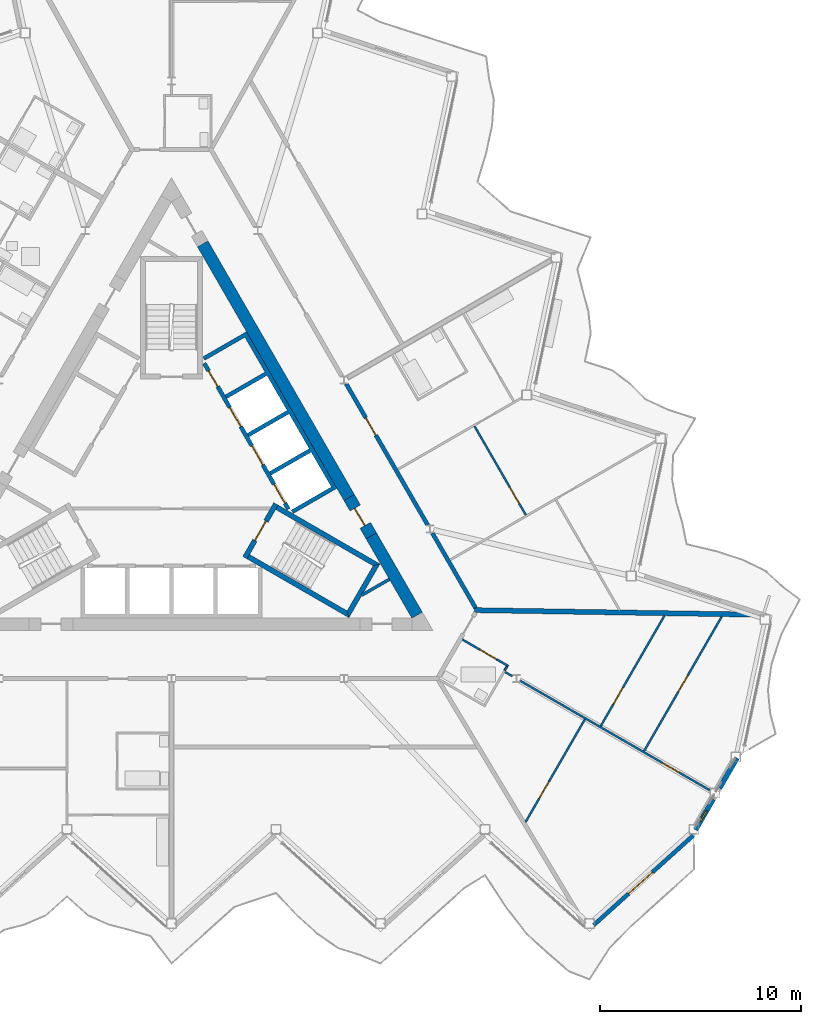
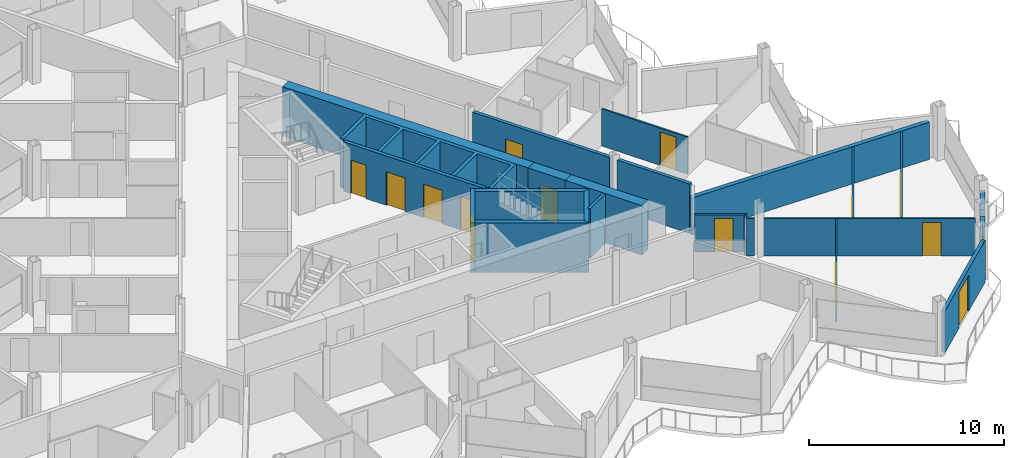
# One storey, part 15 of 26: 24 walls, 14 doors, 1 window, 15 openings.
"""IFC4 building model written with IfcOpenShell, lengths in metres."""

from ifc_helpers import new_model, si_unit, direction, frame, frame_2d, origin, place, context, subcontext, project, spatial, polyline, rectangle, outline, extrude, material, layer, layer_set, type_object, element, fill, save


model = new_model("IFC4")

# Units and contexts
model_context = context("Model", 3, precision=1e-05, world=origin(), true_north=direction((0.0, 1.0)))
body_context = subcontext(model_context, "Body", "Model", "MODEL_VIEW")
ifc_project = project(units=[si_unit("LENGTHUNIT", "METRE"), si_unit("AREAUNIT", "SQUARE_METRE"), si_unit("VOLUMEUNIT", "CUBIC_METRE"), si_unit("PLANEANGLEUNIT", "RADIAN"), si_unit("MASSUNIT", "GRAM", prefix="KILO")], contexts=[model_context])

# Site, building, storey
site_placement = place(None, origin())
site = spatial("IfcSite", under=ifc_project, at=site_placement, CompositionType="ELEMENT")
building_placement = place(site_placement, origin())
building = spatial("IfcBuilding", under=site, at=building_placement, Name="Cormorant Prow Tower", CompositionType="ELEMENT")
storey_placement = place(building_placement, frame((0.0, 0.0, 388.199951171875)))
storey = spatial("IfcBuildingStorey", under=building, at=storey_placement, Name="L88", CompositionType="ELEMENT", Elevation=388.199951171875)

# Walls
ifc_material_1 = material(Name="Gypsum board partition")
ifc_layer_1 = layer(ifc_material_1, 0.14990234375)
ifc_layer_set_1 = layer_set([ifc_layer_1], Name="Gypsum board partition")
wall_type_1 = type_object("IfcWallType", Name="Core partition 150", PredefinedType="PARTITIONING", material=ifc_layer_set_1)
wall_1_placement = place(storey_placement, frame((10.841796875, -4.96728515625, 0.0), z_axis=(0.0, 0.0, 1.0), x_axis=(-0.866098216386, -0.499873863663, 0.0)))
element("IfcWall", 1, at=wall_1_placement, inside=storey, type_object=wall_type_1, Name="Service room partition", PredefinedType="PARTITIONING", context=body_context, shape_type="SweptSolid", body=[
    extrude(rectangle(XDim=1.58203125, YDim=0.14990234375, at=frame_2d((0.791015625, 0.0))), origin(), (0.0, 0.0, 1.0), 3.10009765625),
])
ifc_material_2 = material(Name="Concrete 8000 psi", Category="concrete")
ifc_layer_2 = layer(ifc_material_2, 0.60009765625)
ifc_layer_set_2 = layer_set([ifc_layer_2], Name="Concrete 8000 psi")
wall_type_2 = type_object("IfcWallType", Name="Core shear wall 600", PredefinedType="SHEAR", material=ifc_layer_set_2)
wall_2_placement = place(storey_placement, frame((8.841064453125, -0.902099609375, 0.0), z_axis=(0.0, 0.0, 1.0), x_axis=(-0.499995618375, 0.866027933502, 0.0)))
element("IfcWall", 2, at=wall_2_placement, inside=storey, type_object=wall_type_2, Name="Core wall", PredefinedType="SHEAR", context=body_context, shape_type="SweptSolid", body=[
    extrude(rectangle(XDim=14.570556640625, YDim=0.60009765625, at=frame_2d((7.28515625, 0.0))), origin(), (0.0, 0.0, 1.0), 3.10009765625),
])
wall_3_placement = place(storey_placement, frame((12.220703125, -6.755615234375, 0.0), z_axis=(0.0, 0.0, 1.0), x_axis=(-0.500020646047, 0.866013483456, 0.0)))
element("IfcWall", 3, at=wall_3_placement, inside=storey, type_object=wall_type_2, Name="Core wall", PredefinedType="SHEAR", context=body_context, shape_type="SweptSolid", body=[
    extrude(rectangle(XDim=4.559326171875, YDim=0.60009765625, at=frame_2d((2.27978515625, 0.0))), origin(), (0.0, 0.0, 1.0), 3.10009765625),
])

# Wall, opening, door
wall_4_placement = place(storey_placement, frame((9.94091796875, -2.80712890625, 0.0), z_axis=(0.0, 0.0, 1.0), x_axis=(-0.499994660107, 0.866028486751, 0.0)))
wall_4 = element("IfcWall", 4, at=wall_4_placement, inside=storey, type_object=wall_type_2, Name="Core wall door panel", PredefinedType="SHEAR", context=body_context, shape_type="SweptSolid", body=[
    extrude(rectangle(XDim=2.19970703125, YDim=0.60009765625, at=frame_2d((1.099853515625, 0.0))), origin(), (0.0, 0.0, 1.0), 3.10009765625),
])
opening_1_placement = place(wall_4_placement, frame((0.60009765625, 0.0, 0.0)))
opening_1 = element("IfcOpeningElement", 5, at=opening_1_placement, cuts=wall_4, Name="Opening L88-C17", PredefinedType="OPENING", context=body_context, shape_type="SweptSolid", body=[
    extrude(rectangle(XDim=1.0, YDim=2.10009765625, at=frame_2d((0.5, 1.050048828125))), frame((0.0, 0.31005859375, 0.0), z_axis=(0.0, -1.0, 0.0), x_axis=(1.0, 0.0, 0.0)), (0.0, 0.0, 1.0), 0.6201171875),
])
ifc_material_3 = material(Name="Painted steel", Category="steel")
door_type_1 = type_object("IfcDoorType", Name="Service door 1000x2100", OperationType="NOTDEFINED", PredefinedType="DOOR", material=ifc_material_3)
door_1_placement = place(opening_1_placement, origin())
door_1 = element("IfcDoor", 6, at=door_1_placement, inside=storey, type_object=door_type_1, Name="Core door, Electrical room", OperationType="SINGLE_SWING_LEFT", OverallHeight=2.10009765625, OverallWidth=1.0, PredefinedType="DOOR", context=body_context, shape_type="SweptSolid", body=[
    extrude(rectangle(XDim=1.0, YDim=2.10009765625, at=frame_2d((0.5, 1.050048828125))), frame((0.0, 0.05517578125, 0.0), z_axis=(0.0, -1.0, 0.0), x_axis=(1.0, 0.0, 0.0)), (0.0, 0.0, 1.0), 0.050048828125),
])
fill(opening_1, door_1)

ifc_material_4 = material(Name="Gypsum board corridor wall")
ifc_layer_3 = layer(ifc_material_4, 0.199951171875)
ifc_layer_set_3 = layer_set([ifc_layer_3], Name="Gypsum board corridor wall")
wall_type_3 = type_object("IfcWallType", Name="Corridor wall 200", PredefinedType="PARTITIONING", material=ifc_layer_set_3)
wall_5_placement = place(storey_placement, frame((8.692138671875, 4.755859375, 0.0), z_axis=(0.0, 0.0, 1.0), x_axis=(0.500001682468, -0.866024432409, 0.0)))
wall_5 = element("IfcWall", 7, at=wall_5_placement, inside=storey, type_object=wall_type_3, Name="Corridor wall", PredefinedType="PARTITIONING", context=body_context, shape_type="SweptSolid", body=[
    extrude(rectangle(XDim=8.12353515625, YDim=0.199951171875, at=frame_2d((4.061767578125, 0.0))), origin(), (0.0, 0.0, 1.0), 3.10009765625),
])
opening_2_placement = place(wall_5_placement, frame((1.9560546875, 0.0, 0.0)))
opening_2 = element("IfcOpeningElement", 8, at=opening_2_placement, cuts=wall_5, Name="Opening L88-F16", PredefinedType="OPENING", context=body_context, shape_type="SweptSolid", body=[
    extrude(rectangle(XDim=1.0, YDim=2.10009765625, at=frame_2d((0.5, 1.050048828125))), frame((0.0, 0.10986328125, 0.0), z_axis=(0.0, -1.0, 0.0), x_axis=(1.0, 0.0, 0.0)), (0.0, 0.0, 1.0), 0.219970703125),
])
ifc_material_5 = material(Name="Timber door leaf", Category="wood")
door_type_2 = type_object("IfcDoorType", Name="Flat or room entrance door 1000x2100", OperationType="NOTDEFINED", PredefinedType="DOOR", material=ifc_material_5)
door_2_placement = place(opening_2_placement, origin())
door_2 = element("IfcDoor", 9, at=door_2_placement, inside=storey, type_object=door_type_2, Name="Living room door", OperationType="SINGLE_SWING_LEFT", OverallHeight=2.10009765625, OverallWidth=1.0, PredefinedType="DOOR", context=body_context, shape_type="SweptSolid", body=[
    extrude(rectangle(XDim=1.0, YDim=2.10009765625, at=frame_2d((0.5, 1.050048828125))), frame((0.0, 0.02490234375, 0.0), z_axis=(0.0, -1.0, 0.0), x_axis=(1.0, 0.0, 0.0)), (0.0, 0.0, 1.0), 0.050048828125),
])
fill(opening_2, door_2)

# Wall
wall_6_placement = place(storey_placement, frame((12.9814453125, -2.67333984375, 0.0), z_axis=(0.0, 0.0, 1.0), x_axis=(0.499986217557, -0.866033360935, 0.0)))
element("IfcWall", 10, at=wall_6_placement, inside=storey, type_object=wall_type_3, Name="Corridor wall", PredefinedType="PARTITIONING", context=body_context, shape_type="SweptSolid", body=[
    extrude(rectangle(XDim=4.2998046875, YDim=0.199951171875, at=frame_2d((2.14990234375, 0.0))), origin(), (0.0, 0.0, 1.0), 3.10009765625),
])

# Wall, opening, door
ifc_material_6 = material(Name="Gypsum board partition")
ifc_layer_4 = layer(ifc_material_6, 0.10009765625)
ifc_layer_set_4 = layer_set([ifc_layer_4], Name="Gypsum board partition")
wall_type_4 = type_object("IfcWallType", Name="Internal partition 100", PredefinedType="PARTITIONING", material=ifc_layer_set_4)
wall_7_placement = place(storey_placement, frame((17.35400390625, -10.019287109375, 0.0), z_axis=(0.0, 0.0, 1.0), x_axis=(0.866019680922, -0.500009912158, 0.0)))
wall_7 = element("IfcWall", 11, at=wall_7_placement, inside=storey, type_object=wall_type_4, Name="Internal partition", PredefinedType="PARTITIONING", context=body_context, shape_type="SweptSolid", body=[
    extrude(rectangle(XDim=10.880615234375, YDim=0.10009765625, at=frame_2d((5.4404296875, 0.0))), origin(), (0.0, 0.0, 1.0), 2.330078125),
])
opening_3_placement = place(wall_7_placement, frame((8.17578125, 0.0, 0.0)))
opening_3 = element("IfcOpeningElement", 12, at=opening_3_placement, cuts=wall_7, Name="Opening L88-F14", PredefinedType="OPENING", context=body_context, shape_type="SweptSolid", body=[
    extrude(rectangle(XDim=0.949951171875, YDim=2.10009765625, at=frame_2d((0.47509765625, 1.050048828125))), frame((0.0, 0.06005859375, 0.0), z_axis=(0.0, -1.0, 0.0), x_axis=(1.0, 0.0, 0.0)), (0.0, 0.0, 1.0), 0.1201171875),
])
ifc_material_7 = material(Name="Timber door leaf", Category="wood")
door_type_3 = type_object("IfcDoorType", Name="Bathroom door 950x2100", OperationType="NOTDEFINED", PredefinedType="DOOR", material=ifc_material_7)
door_3_placement = place(opening_3_placement, origin())
door_3 = element("IfcDoor", 13, at=door_3_placement, inside=storey, type_object=door_type_3, Name="Dining room door", OperationType="SINGLE_SWING_LEFT", OverallHeight=2.10009765625, OverallWidth=0.949951171875, PredefinedType="DOOR", context=body_context, shape_type="SweptSolid", body=[
    extrude(rectangle(XDim=0.949951171875, YDim=2.10009765625, at=frame_2d((0.47509765625, 1.050048828125))), frame((0.0, 0.02490234375, 0.0), z_axis=(0.0, -1.0, 0.0), x_axis=(1.0, 0.0, 0.0)), (0.0, 0.0, 1.0), 0.050048828125),
])
fill(opening_3, door_3)

wall_8_placement = place(storey_placement, frame((23.51171875, -13.516845703125, 0.0), z_axis=(0.0, 0.0, 1.0), x_axis=(0.49998445949, 0.866034375916, 0.0)))
wall_8 = element("IfcWall", 14, at=wall_8_placement, inside=storey, type_object=wall_type_4, Name="Internal partition", PredefinedType="PARTITIONING", context=body_context, shape_type="SweptSolid", body=[
    extrude(rectangle(XDim=7.743408203125, YDim=0.10009765625, at=frame_2d((3.87158203125, 0.0))), origin(), (0.0, 0.0, 1.0), 2.330078125),
])
opening_4_placement = place(wall_8_placement, frame((3.396728515625, 0.0, 0.0)))
opening_4 = element("IfcOpeningElement", 15, at=opening_4_placement, cuts=wall_8, Name="Opening L88-F13", PredefinedType="OPENING", context=body_context, shape_type="SweptSolid", body=[
    extrude(rectangle(XDim=0.949951171875, YDim=2.10009765625, at=frame_2d((0.47509765625, 1.050048828125))), frame((0.0, 0.06005859375, 0.0), z_axis=(0.0, -1.0, 0.0), x_axis=(1.0, 0.0, 0.0)), (0.0, 0.0, 1.0), 0.1201171875),
])
door_4_placement = place(opening_4_placement, origin())
door_4 = element("IfcDoor", 16, at=door_4_placement, inside=storey, type_object=door_type_3, Name="Kitchen door", OperationType="SINGLE_SWING_RIGHT", OverallHeight=2.10009765625, OverallWidth=0.949951171875, PredefinedType="DOOR", context=body_context, shape_type="SweptSolid", body=[
    extrude(rectangle(XDim=0.949951171875, YDim=2.10009765625, at=frame_2d((0.47509765625, 1.050048828125))), frame((0.0, 0.02490234375, 0.0), z_axis=(0.0, -1.0, 0.0), x_axis=(1.0, 0.0, 0.0)), (0.0, 0.0, 1.0), 0.050048828125),
])
fill(opening_4, door_4)

wall_9_placement = place(storey_placement, frame((21.3544921875, -12.271240234375, 0.0), z_axis=(0.0, 0.0, 1.0), x_axis=(0.499983931063, 0.866034680991, 0.0)))
wall_9 = element("IfcWall", 17, at=wall_9_placement, inside=storey, type_object=wall_type_4, Name="Internal partition", PredefinedType="PARTITIONING", context=body_context, shape_type="SweptSolid", body=[
    extrude(rectangle(XDim=6.358154296875, YDim=0.10009765625, at=frame_2d((3.17919921875, 0.0))), origin(), (0.0, 0.0, 1.0), 2.330078125),
])
opening_5_placement = place(wall_9_placement, frame((1.251708984375, 0.0, 0.0)))
opening_5 = element("IfcOpeningElement", 18, at=opening_5_placement, cuts=wall_9, Name="Opening L88-F12", PredefinedType="OPENING", context=body_context, shape_type="SweptSolid", body=[
    extrude(rectangle(XDim=0.949951171875, YDim=2.10009765625, at=frame_2d((0.47509765625, 1.050048828125))), frame((0.0, 0.06005859375, 0.0), z_axis=(0.0, -1.0, 0.0), x_axis=(1.0, 0.0, 0.0)), (0.0, 0.0, 1.0), 0.1201171875),
])
door_5_placement = place(opening_5_placement, origin())
door_5 = element("IfcDoor", 19, at=door_5_placement, inside=storey, type_object=door_type_3, Name="Living room door", OperationType="SINGLE_SWING_RIGHT", OverallHeight=2.10009765625, OverallWidth=0.949951171875, PredefinedType="DOOR", context=body_context, shape_type="SweptSolid", body=[
    extrude(rectangle(XDim=0.949951171875, YDim=2.10009765625, at=frame_2d((0.47509765625, 1.050048828125))), frame((0.0, 0.02490234375, 0.0), z_axis=(0.0, -1.0, 0.0), x_axis=(1.0, 0.0, 0.0)), (0.0, 0.0, 1.0), 0.050048828125),
])
fill(opening_5, door_5)

wall_10_placement = place(storey_placement, frame((17.61279296875, -17.05078125, 0.0), z_axis=(0.0, 0.0, 1.0), x_axis=(0.499982307286, 0.866035618437, 0.0)))
wall_10 = element("IfcWall", 20, at=wall_10_placement, inside=storey, type_object=wall_type_4, Name="Internal partition", PredefinedType="PARTITIONING", context=body_context, shape_type="SweptSolid", body=[
    extrude(rectangle(XDim=5.909912109375, YDim=0.10009765625, at=frame_2d((2.955078125, 0.0))), origin(), (0.0, 0.0, 1.0), 2.330078125),
])
opening_6_placement = place(wall_10_placement, frame((1.364990234375, 0.0, 0.0)))
opening_6 = element("IfcOpeningElement", 21, at=opening_6_placement, cuts=wall_10, Name="Opening L88-F15", PredefinedType="OPENING", context=body_context, shape_type="SweptSolid", body=[
    extrude(rectangle(XDim=0.949951171875, YDim=2.10009765625, at=frame_2d((0.47509765625, 1.050048828125))), frame((0.0, 0.06005859375, 0.0), z_axis=(0.0, -1.0, 0.0), x_axis=(1.0, 0.0, 0.0)), (0.0, 0.0, 1.0), 0.1201171875),
])
door_6_placement = place(opening_6_placement, origin())
door_6 = element("IfcDoor", 22, at=door_6_placement, inside=storey, type_object=door_type_3, Name="Principal bedroom door", OperationType="SINGLE_SWING_LEFT", OverallHeight=2.10009765625, OverallWidth=0.949951171875, PredefinedType="DOOR", context=body_context, shape_type="SweptSolid", body=[
    extrude(rectangle(XDim=0.949951171875, YDim=2.10009765625, at=frame_2d((0.47509765625, 1.050048828125))), frame((0.0, 0.02490234375, 0.0), z_axis=(0.0, -1.0, 0.0), x_axis=(1.0, 0.0, 0.0)), (0.0, 0.0, 1.0), 0.050048828125),
])
fill(opening_6, door_6)

wall_11_placement = place(storey_placement, frame((15.07958984375, 2.64404296875, 0.0), z_axis=(0.0, 0.0, 1.0), x_axis=(0.500005610874, -0.86602216432, 0.0)))
wall_11 = element("IfcWall", 23, at=wall_11_placement, inside=storey, type_object=wall_type_4, Name="Internal partition", PredefinedType="PARTITIONING", context=body_context, shape_type="SweptSolid", body=[
    extrude(rectangle(XDim=5.10009765625, YDim=0.10009765625, at=frame_2d((2.550048828125, 0.0))), origin(), (0.0, 0.0, 1.0), 2.330078125),
])
opening_7_placement = place(wall_11_placement, frame((3.494384765625, 0.0, 0.0)))
opening_7 = element("IfcOpeningElement", 24, at=opening_7_placement, cuts=wall_11, Name="Opening L88-F20", PredefinedType="OPENING", context=body_context, shape_type="SweptSolid", body=[
    extrude(rectangle(XDim=0.949951171875, YDim=2.10009765625, at=frame_2d((0.47509765625, 1.050048828125))), frame((0.0, 0.06005859375, 0.0), z_axis=(0.0, -1.0, 0.0), x_axis=(1.0, 0.0, 0.0)), (0.0, 0.0, 1.0), 0.1201171875),
])
door_7_placement = place(opening_7_placement, origin())
door_7 = element("IfcDoor", 25, at=door_7_placement, inside=storey, type_object=door_type_3, Name="Bedroom door", OperationType="SINGLE_SWING_RIGHT", OverallHeight=2.10009765625, OverallWidth=0.949951171875, PredefinedType="DOOR", context=body_context, shape_type="SweptSolid", body=[
    extrude(rectangle(XDim=0.949951171875, YDim=2.10009765625, at=frame_2d((0.47509765625, 1.050048828125))), frame((0.0, 0.02490234375, 0.0), z_axis=(0.0, -1.0, 0.0), x_axis=(1.0, 0.0, 0.0)), (0.0, 0.0, 1.0), 0.050048828125),
])
fill(opening_7, door_7)

wall_12_placement = place(storey_placement, frame((14.467529296875, -7.963623046875, 0.0), z_axis=(0.0, 0.0, 1.0), x_axis=(0.86603978909, -0.499975083092, 0.0)))
wall_12 = element("IfcWall", 26, at=wall_12_placement, inside=storey, type_object=wall_type_4, Name="Internal partition", PredefinedType="PARTITIONING", context=body_context, shape_type="SweptSolid", body=[
    extrude(rectangle(XDim=2.649169921875, YDim=0.10009765625, at=frame_2d((1.32470703125, 0.0))), origin(), (0.0, 0.0, 1.0), 2.330078125),
])
opening_8_placement = place(wall_12_placement, frame((1.01318359375, 0.0, 0.0)))
opening_8 = element("IfcOpeningElement", 27, at=opening_8_placement, cuts=wall_12, Name="Opening L88-F11", PredefinedType="OPENING", context=body_context, shape_type="SweptSolid", body=[
    extrude(rectangle(XDim=0.949951171875, YDim=2.10009765625, at=frame_2d((0.47509765625, 1.050048828125))), frame((0.0, 0.06005859375, 0.0), z_axis=(0.0, -1.0, 0.0), x_axis=(1.0, 0.0, 0.0)), (0.0, 0.0, 1.0), 0.1201171875),
])
door_8_placement = place(opening_8_placement, origin())
door_8 = element("IfcDoor", 28, at=door_8_placement, inside=storey, type_object=door_type_3, Name="Living room door", OperationType="SINGLE_SWING_RIGHT", OverallHeight=2.10009765625, OverallWidth=0.949951171875, PredefinedType="DOOR", context=body_context, shape_type="SweptSolid", body=[
    extrude(rectangle(XDim=0.949951171875, YDim=2.10009765625, at=frame_2d((0.47509765625, 1.050048828125))), frame((0.0, 0.02490234375, 0.0), z_axis=(0.0, -1.0, 0.0), x_axis=(1.0, 0.0, 0.0)), (0.0, 0.0, 1.0), 0.050048828125),
])
fill(opening_8, door_8)

# Walls
wall_13_placement = place(storey_placement, frame((16.593994140625, -9.58056640625, 0.0), z_axis=(0.0, 0.0, 1.0), x_axis=(0.866137484628, -0.499805820016, 0.0)))
element("IfcWall", 29, at=wall_13_placement, inside=storey, type_object=wall_type_4, Name="Internal partition", PredefinedType="PARTITIONING", context=body_context, shape_type="SweptSolid", body=[
    extrude(rectangle(XDim=0.422607421875, YDim=0.10009765625, at=frame_2d((0.21142578125, 0.0))), origin(), (0.0, 0.0, 1.0), 2.330078125),
])
wall_14_placement = place(storey_placement, frame((16.581787109375, -9.501220703125, 0.0), z_axis=(0.0, 0.0, 1.0), x_axis=(0.498246276801, 0.867035551551, 0.0)))
element("IfcWall", 30, at=wall_14_placement, inside=storey, type_object=wall_type_4, Name="Internal partition", PredefinedType="PARTITIONING", context=body_context, shape_type="SweptSolid", body=[
    extrude(rectangle(XDim=0.224365234375, YDim=0.10009765625, at=frame_2d((0.1123046875, 0.0))), origin(), (0.0, 0.0, 1.0), 2.330078125),
])

# Wall, openings, doors
ifc_material_8 = material(Name="Concrete 5000 psi", Category="concrete")
ifc_layer_5 = layer(ifc_material_8, 0.199951171875)
ifc_layer_set_5 = layer_set([ifc_layer_5], Name="Concrete 5000 psi")
wall_type_5 = type_object("IfcWallType", Name="Lift lobby wall 200", PredefinedType="SOLIDWALL", material=ifc_layer_set_5)
wall_15_placement = place(storey_placement, frame((5.817138671875, -1.4755859375, 0.0), z_axis=(0.0, 0.0, 1.0), x_axis=(-0.500002616675, 0.866023893041, 0.0)))
wall_15 = element("IfcWall", 31, at=wall_15_placement, inside=storey, type_object=wall_type_5, Name="Lift lobby wall, ENE block", PredefinedType="SOLIDWALL", context=body_context, shape_type="SweptSolid", body=[
    extrude(rectangle(XDim=8.373046875, YDim=0.199951171875, at=frame_2d((4.1865234375, 0.0))), origin(), (0.0, 0.0, 1.0), 3.10009765625),
])
opening_9_placement = place(wall_15_placement, frame((0.336669921875, 0.0, 0.0)))
opening_9 = element("IfcOpeningElement", 32, at=opening_9_placement, cuts=wall_15, Name="Opening L88-C05", PredefinedType="OPENING", context=body_context, shape_type="SweptSolid", body=[
    extrude(rectangle(XDim=1.10009765625, YDim=2.10009765625, at=frame_2d((0.550048828125, 1.050048828125))), frame((0.0, 0.10986328125, 0.0), z_axis=(0.0, -1.0, 0.0), x_axis=(1.0, 0.0, 0.0)), (0.0, 0.0, 1.0), 0.219970703125),
])
opening_10_placement = place(wall_15_placement, frame((2.53662109375, 0.0, 0.0)))
opening_10 = element("IfcOpeningElement", 33, at=opening_10_placement, cuts=wall_15, Name="Opening L88-C06", PredefinedType="OPENING", context=body_context, shape_type="SweptSolid", body=[
    extrude(rectangle(XDim=1.10009765625, YDim=2.10009765625, at=frame_2d((0.550048828125, 1.050048828125))), frame((0.0, 0.10986328125, 0.0), z_axis=(0.0, -1.0, 0.0), x_axis=(1.0, 0.0, 0.0)), (0.0, 0.0, 1.0), 0.219970703125),
])
opening_11_placement = place(wall_15_placement, frame((4.736572265625, 0.0, 0.0)))
opening_11 = element("IfcOpeningElement", 34, at=opening_11_placement, cuts=wall_15, Name="Opening L88-C07", PredefinedType="OPENING", context=body_context, shape_type="SweptSolid", body=[
    extrude(rectangle(XDim=1.10009765625, YDim=2.10009765625, at=frame_2d((0.550048828125, 1.050048828125))), frame((0.0, 0.10986328125, 0.0), z_axis=(0.0, -1.0, 0.0), x_axis=(1.0, 0.0, 0.0)), (0.0, 0.0, 1.0), 0.219970703125),
])
opening_12_placement = place(wall_15_placement, frame((7.03662109375, 0.0, 0.0)))
opening_12 = element("IfcOpeningElement", 35, at=opening_12_placement, cuts=wall_15, Name="Opening L88-C08", PredefinedType="OPENING", context=body_context, shape_type="SweptSolid", body=[
    extrude(rectangle(XDim=0.89990234375, YDim=2.10009765625, at=frame_2d((0.449951171875, 1.050048828125))), frame((0.0, 0.10986328125, 0.0), z_axis=(0.0, -1.0, 0.0), x_axis=(1.0, 0.0, 0.0)), (0.0, 0.0, 1.0), 0.219970703125),
])
ifc_material_9 = material(Name="Painted steel", Category="steel")
door_type_4 = type_object("IfcDoorType", Name="Lift landing door 1100x2100", OperationType="SLIDING_TO_LEFT", PredefinedType="DOOR", material=ifc_material_9)
door_9_placement = place(opening_9_placement, origin())
door_9 = element("IfcDoor", 36, at=door_9_placement, inside=storey, type_object=door_type_4, Name="Landing door HR2", OperationType="SLIDING_TO_LEFT", OverallHeight=2.10009765625, OverallWidth=1.10009765625, PredefinedType="DOOR", context=body_context, shape_type="SweptSolid", body=[
    extrude(rectangle(XDim=1.10009765625, YDim=2.10009765625, at=frame_2d((0.550048828125, 1.050048828125))), frame((0.0, 0.02490234375, 0.0), z_axis=(0.0, -1.0, 0.0), x_axis=(1.0, 0.0, 0.0)), (0.0, 0.0, 1.0), 0.050048828125),
])
fill(opening_9, door_9)
door_10_placement = place(opening_10_placement, origin())
door_10 = element("IfcDoor", 37, at=door_10_placement, inside=storey, type_object=door_type_4, Name="Landing door HR3", OperationType="SLIDING_TO_LEFT", OverallHeight=2.10009765625, OverallWidth=1.10009765625, PredefinedType="DOOR", context=body_context, shape_type="SweptSolid", body=[
    extrude(rectangle(XDim=1.10009765625, YDim=2.10009765625, at=frame_2d((0.550048828125, 1.050048828125))), frame((0.0, 0.02490234375, 0.0), z_axis=(0.0, -1.0, 0.0), x_axis=(1.0, 0.0, 0.0)), (0.0, 0.0, 1.0), 0.050048828125),
])
fill(opening_10, door_10)
door_11_placement = place(opening_11_placement, origin())
door_11 = element("IfcDoor", 38, at=door_11_placement, inside=storey, type_object=door_type_4, Name="Landing door HR4", OperationType="SLIDING_TO_LEFT", OverallHeight=2.10009765625, OverallWidth=1.10009765625, PredefinedType="DOOR", context=body_context, shape_type="SweptSolid", body=[
    extrude(rectangle(XDim=1.10009765625, YDim=2.10009765625, at=frame_2d((0.550048828125, 1.050048828125))), frame((0.0, 0.02490234375, 0.0), z_axis=(0.0, -1.0, 0.0), x_axis=(1.0, 0.0, 0.0)), (0.0, 0.0, 1.0), 0.050048828125),
])
fill(opening_11, door_11)
ifc_material_10 = material(Name="Painted steel", Category="steel")
door_type_5 = type_object("IfcDoorType", Name="Service door 900x2100", OperationType="NOTDEFINED", PredefinedType="DOOR", material=ifc_material_10)
door_12_placement = place(opening_12_placement, origin())
door_12 = element("IfcDoor", 39, at=door_12_placement, inside=storey, type_object=door_type_5, Name="Service door, Electrical room", OperationType="SINGLE_SWING_RIGHT", OverallHeight=2.10009765625, OverallWidth=0.89990234375, PredefinedType="DOOR", context=body_context, shape_type="SweptSolid", body=[
    extrude(rectangle(XDim=0.89990234375, YDim=2.10009765625, at=frame_2d((0.449951171875, 1.050048828125))), frame((0.0, 0.02490234375, 0.0), z_axis=(0.0, -1.0, 0.0), x_axis=(1.0, 0.0, 0.0)), (0.0, 0.0, 1.0), 0.050048828125),
])
fill(opening_12, door_12)

# Walls
ifc_material_11 = material(Name="Concrete 8000 psi", Category="concrete")
ifc_layer_6 = layer(ifc_material_11, 0.199951171875)
ifc_layer_set_6 = layer_set([ifc_layer_6], Name="Concrete 8000 psi")
wall_type_6 = type_object("IfcWallType", Name="Lift shaft wall 200", PredefinedType="SHEAR", material=ifc_layer_set_6)
wall_16_placement = place(storey_placement, origin())
element("IfcWall", 40, at=wall_16_placement, inside=storey, type_object=wall_type_6, Name="Lift shaft walls, ENE block", PredefinedType="SHEAR", context=body_context, shape_type="SweptSolid", body=[
    extrude(outline(polyline([(1.560546875, 6.09716796875), (3.730712890625, 7.35009765625), (8.230712890625, -0.444091796875), (6.060546875, -1.697021484375), (5.96044921875, -1.52392578125), (7.952392578125, -0.373779296875), (6.952392578125, 1.358154296875), (4.96044921875, 0.2080078125), (4.860595703125, 0.38134765625), (6.852294921875, 1.53125), (5.852294921875, 3.263427734375), (3.860595703125, 2.11328125), (3.760498046875, 2.28662109375), (5.75244140625, 3.4365234375), (4.75244140625, 5.168701171875), (2.760498046875, 4.018798828125), (2.660400390625, 4.19189453125), (4.65234375, 5.341796875), (3.65234375, 7.073974609375), (1.660400390625, 5.923828125), (1.560546875, 6.09716796875)])), origin(), (0.0, 0.0, 1.0), 3.10009765625),
])
ifc_material_12 = material(Name="Concrete 8000 psi", Category="concrete")
ifc_layer_7 = layer(ifc_material_12, 0.25)
ifc_layer_set_7 = layer_set([ifc_layer_7], Name="Concrete 8000 psi")
wall_type_7 = type_object("IfcWallType", Name="Stair wall 250", PredefinedType="SHEAR", material=ifc_layer_set_7)
wall_17_placement = place(storey_placement, origin())
element("IfcWall", 41, at=wall_17_placement, inside=storey, type_object=wall_type_7, Name="Stair ST2 enclosure wall (flank)", PredefinedType="SHEAR", context=body_context, shape_type="SweptSolid", body=[
    extrude(outline(polyline([(3.76318359375, -3.95556640625), (8.82958984375, -6.880615234375), (8.738037109375, -6.5390625), (3.88818359375, -3.739013671875), (3.76318359375, -3.95556640625)])), origin(), (0.0, 0.0, 1.0), 3.10009765625),
])
wall_18_placement = place(storey_placement, origin())
element("IfcWall", 42, at=wall_18_placement, inside=storey, type_object=wall_type_7, Name="Stair ST2 enclosure wall (end)", PredefinedType="SHEAR", context=body_context, shape_type="SweptSolid", body=[
    extrude(outline(polyline([(8.82958984375, -6.880615234375), (10.37353515625, -4.206298828125), (10.031982421875, -4.2978515625), (8.738037109375, -6.5390625), (8.82958984375, -6.880615234375)])), origin(), (0.0, 0.0, 1.0), 3.10009765625),
])
wall_19_placement = place(storey_placement, origin())
element("IfcWall", 43, at=wall_19_placement, inside=storey, type_object=wall_type_7, Name="Stair ST2 enclosure wall (flank)", PredefinedType="SHEAR", context=body_context, shape_type="SweptSolid", body=[
    extrude(outline(polyline([(10.031982421875, -4.2978515625), (10.37353515625, -4.206298828125), (5.30712890625, -1.28125), (5.18212890625, -1.497802734375), (10.031982421875, -4.2978515625)])), origin(), (0.0, 0.0, 1.0), 3.10009765625),
])

# Wall, opening, door
wall_20_placement = place(storey_placement, frame((3.655029296875, -3.89306640625, 0.0), z_axis=(0.0, 0.0, 1.0), x_axis=(0.499982516597, 0.866035497597, 0.0)))
wall_20 = element("IfcWall", 44, at=wall_20_placement, inside=storey, type_object=wall_type_7, Name="Stair ST2 door wall", PredefinedType="SHEAR", context=body_context, shape_type="SweptSolid", body=[
    extrude(rectangle(XDim=3.087890625, YDim=0.25, at=frame_2d((1.5439453125, 0.0))), origin(), (0.0, 0.0, 1.0), 3.10009765625),
])
opening_13_placement = place(wall_20_placement, frame((0.993896484375, 0.0, 0.0)))
opening_13 = element("IfcOpeningElement", 45, at=opening_13_placement, cuts=wall_20, Name="Opening L88-C13", PredefinedType="OPENING", context=body_context, shape_type="SweptSolid", body=[
    extrude(rectangle(XDim=1.10009765625, YDim=2.10009765625, at=frame_2d((0.550048828125, 1.050048828125))), frame((0.0, 0.135009765625, 0.0), z_axis=(0.0, -1.0, 0.0), x_axis=(1.0, 0.0, 0.0)), (0.0, 0.0, 1.0), 0.27001953125),
])
ifc_material_13 = material(Name="Painted steel", Category="steel")
door_type_6 = type_object("IfcDoorType", Name="Stair door 1100x2100", OperationType="NOTDEFINED", PredefinedType="DOOR", material=ifc_material_13)
door_13_placement = place(opening_13_placement, origin())
door_13 = element("IfcDoor", 46, at=door_13_placement, inside=storey, type_object=door_type_6, Name="Stair ST2 door", OperationType="SINGLE_SWING_RIGHT", OverallHeight=2.10009765625, OverallWidth=1.10009765625, PredefinedType="DOOR", context=body_context, shape_type="SweptSolid", body=[
    extrude(rectangle(XDim=1.10009765625, YDim=2.10009765625, at=frame_2d((0.550048828125, 1.050048828125))), frame((0.0, 0.02490234375, 0.0), z_axis=(0.0, -1.0, 0.0), x_axis=(1.0, 0.0, 0.0)), (0.0, 0.0, 1.0), 0.050048828125),
])
fill(opening_13, door_13)

# Wall
ifc_material_14 = material(Name="Acoustic gypsum party wall")
ifc_layer_8 = layer(ifc_material_14, 0.25)
ifc_layer_set_8 = layer_set([ifc_layer_8], Name="Acoustic gypsum party wall")
wall_type_8 = type_object("IfcWallType", Name="Suite party wall 250", PredefinedType="PARTITIONING", material=ifc_layer_set_8)
wall_21_placement = place(storey_placement, frame((15.06884765625, -6.50341796875, 0.0), z_axis=(0.0, 0.0, 1.0), x_axis=(0.999870484296, -0.016093931549, 0.0)))
element("IfcWall", 47, at=wall_21_placement, inside=storey, type_object=wall_type_8, Name="Suite party wall", PredefinedType="PARTITIONING", context=body_context, shape_type="SweptSolid", body=[
    extrude(rectangle(XDim=13.9560546875, YDim=0.25, at=frame_2d((6.97802734375, 0.0))), origin(), (0.0, 0.0, 1.0), 2.330078125),
])

# Wall, opening, window
ifc_material_15 = material(Name="Terracotta", Category="masonry")
ifc_layer_9 = layer(ifc_material_15, 0.25)
ifc_layer_set_9 = layer_set([ifc_layer_9], Name="Terracotta")
wall_type_9 = type_object("IfcWallType", Name="Terracotta bay wall 250", PredefinedType="SOLIDWALL", material=ifc_layer_set_9)
wall_22_placement = place(storey_placement, frame((26.07470703125, -17.43017578125, 0.0), z_axis=(0.0, 0.0, 1.0), x_axis=(0.500027377864, 0.86600959659, 0.0)))
wall_22 = element("IfcWall", 48, at=wall_22_placement, inside=storey, type_object=wall_type_9, Name="Terracotta bay wall ESE00", PredefinedType="SOLIDWALL", context=body_context, shape_type="SweptSolid", body=[
    extrude(rectangle(XDim=1.755859375, YDim=0.25, at=frame_2d((0.8779296875, 0.0))), origin(), (0.0, 0.0, 1.0), 2.634033203125),
])
opening_14_placement = place(wall_22_placement, frame((0.5, 0.0, 1.699951171875)))
opening_14 = element("IfcOpeningElement", 49, at=opening_14_placement, cuts=wall_22, Name="Opening WN11", PredefinedType="OPENING", context=body_context, shape_type="SweptSolid", body=[
    extrude(rectangle(XDim=0.60009765625, YDim=0.699951171875, at=frame_2d((0.300048828125, 0.35009765625))), frame((0.0, 0.135009765625, 0.0), z_axis=(0.0, -1.0, 0.0), x_axis=(1.0, 0.0, 0.0)), (0.0, 0.0, 1.0), 0.27001953125),
])
ifc_material_16 = material(Name="Aluminium 6063-T6", Category="aluminium")
window_type = type_object("IfcWindowType", Name="Corner bay window 600x700", PartitioningType="SINGLE_PANEL", PredefinedType="WINDOW", material=ifc_material_16)
window_placement = place(opening_14_placement, origin())
window = element("IfcWindow", 50, at=window_placement, inside=storey, type_object=window_type, Name="Corner bay window ESE00", OverallHeight=0.699951171875, OverallWidth=0.60009765625, PartitioningType="SINGLE_PANEL", PredefinedType="WINDOW", context=body_context, shape_type="SweptSolid", body=[
    extrude(rectangle(XDim=0.60009765625, YDim=0.699951171875, at=frame_2d((0.300048828125, 0.35009765625))), frame((0.0, 0.030029296875, 0.0), z_axis=(0.0, -1.0, 0.0), x_axis=(1.0, 0.0, 0.0)), (0.0, 0.0, 1.0), 0.06005859375),
])
fill(opening_14, window)

# Wall
wall_23_placement = place(storey_placement, frame((27.27001953125, -15.35986328125, 0.0), z_axis=(0.0, 0.0, 1.0), x_axis=(0.499975693202, 0.866039436866, 0.0)))
element("IfcWall", 51, at=wall_23_placement, inside=storey, type_object=wall_type_9, Name="Terracotta bay wall ESE01", PredefinedType="SOLIDWALL", context=body_context, shape_type="SweptSolid", body=[
    extrude(rectangle(XDim=1.724609375, YDim=0.25, at=frame_2d((0.8623046875, 0.0))), origin(), (0.0, 0.0, 1.0), 2.634033203125),
])

# Wall, opening, door
ifc_material_17 = material(Name="Terracotta", Category="masonry")
ifc_layer_10 = layer(ifc_material_17, 0.199951171875)
ifc_layer_set_10 = layer_set([ifc_layer_10], Name="Terracotta")
wall_type_10 = type_object("IfcWallType", Name="Terracotta jamb wall 200", PredefinedType="SOLIDWALL", material=ifc_layer_set_10)
wall_24_placement = place(storey_placement, frame((21.005126953125, -22.172607421875, 0.0), z_axis=(0.0, 0.0, 1.0), x_axis=(0.743135582201, 0.669140871915, 0.0)))
wall_24 = element("IfcWall", 52, at=wall_24_placement, inside=storey, type_object=wall_type_10, Name="Terracotta jamb wall S09", PredefinedType="SOLIDWALL", context=body_context, shape_type="SweptSolid", body=[
    extrude(rectangle(XDim=6.66162109375, YDim=0.199951171875, at=frame_2d((3.330810546875, 0.0))), origin(), (0.0, 0.0, 1.0), 2.634033203125),
])
opening_15_placement = place(wall_24_placement, frame((2.332763671875, 0.0, 0.0)))
opening_15 = element("IfcOpeningElement", 53, at=opening_15_placement, cuts=wall_24, Name="Opening ED88.05", PredefinedType="OPENING", context=body_context, shape_type="SweptSolid", body=[
    extrude(rectangle(XDim=1.60009765625, YDim=2.25, at=frame_2d((0.800048828125, 1.125))), frame((0.0, 0.10986328125, 0.0), z_axis=(0.0, -1.0, 0.0), x_axis=(1.0, 0.0, 0.0)), (0.0, 0.0, 1.0), 0.219970703125),
])
ifc_material_18 = material(Name="Aluminium 6063-T6", Category="aluminium")
door_type_7 = type_object("IfcDoorType", Name="Balcony door 1600x2250", OperationType="DOUBLE_DOOR_SINGLE_SWING", PredefinedType="DOOR", material=ifc_material_18)
door_14_placement = place(opening_15_placement, origin())
door_14 = element("IfcDoor", 54, at=door_14_placement, inside=storey, type_object=door_type_7, Name="Balcony door S09 ED88.05", OperationType="DOUBLE_DOOR_SINGLE_SWING", OverallHeight=2.25, OverallWidth=1.60009765625, PredefinedType="DOOR", context=body_context, shape_type="SweptSolid", body=[
    extrude(rectangle(XDim=1.60009765625, YDim=2.25, at=frame_2d((0.800048828125, 1.125))), frame((0.0, 0.02490234375, 0.0), z_axis=(0.0, -1.0, 0.0), x_axis=(1.0, 0.0, 0.0)), (0.0, 0.0, 1.0), 0.050048828125),
])
fill(opening_15, door_14)

save(model, "model.ifc")
